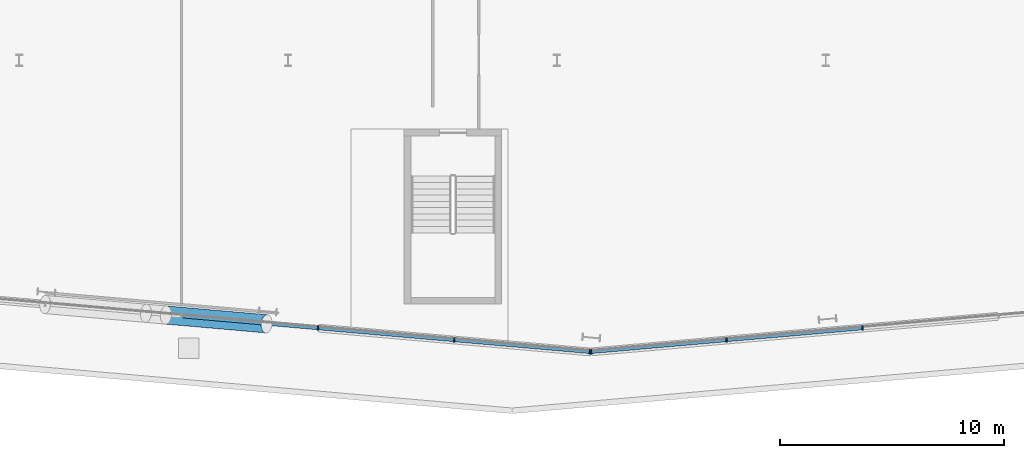
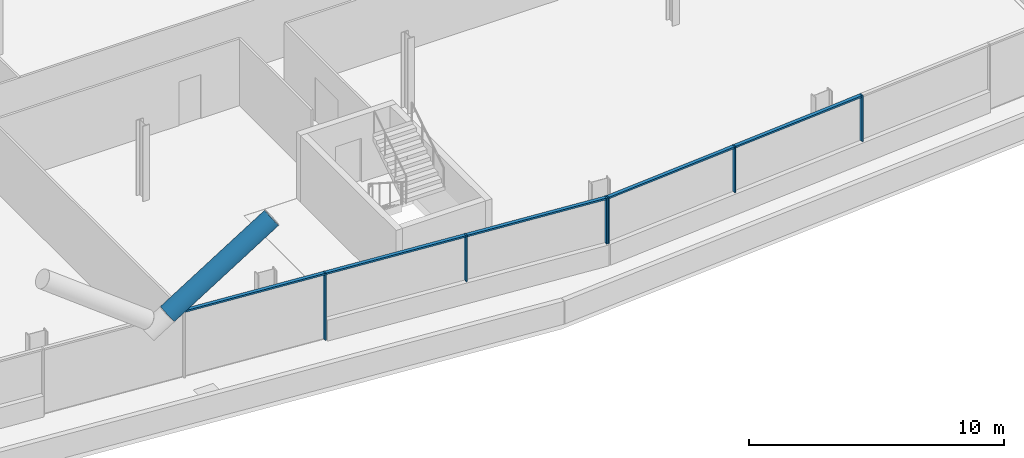
# One storey, part 5 of 26: 12 members, 2 elements without a shape of their own.
"""IFC4 building model written with IfcOpenShell, lengths in metres."""

from ifc_helpers import new_model, si_unit, direction, frame, origin, origin_2d, place, context, subcontext, project, spatial, rectangle, hollow_circle, extrude, material, material_profile, profile_set, type_object, element, aggregate, save


model = new_model("IFC4")

# Units and contexts
model_context = context("Model", 3, precision=1e-05, world=origin(), true_north=direction((0.0, 1.0)))
body_context = subcontext(model_context, "Body", "Model", "MODEL_VIEW")
ifc_project = project(units=[si_unit("LENGTHUNIT", "METRE"), si_unit("AREAUNIT", "SQUARE_METRE"), si_unit("VOLUMEUNIT", "CUBIC_METRE"), si_unit("PLANEANGLEUNIT", "RADIAN"), si_unit("MASSUNIT", "GRAM", prefix="KILO")], contexts=[model_context])

# Site, building, storey
site_placement = place(None, origin())
site = spatial("IfcSite", under=ifc_project, at=site_placement, CompositionType="ELEMENT")
building_placement = place(site_placement, origin())
building = spatial("IfcBuilding", under=site, at=building_placement, Name="Wharfspan Tower", CompositionType="ELEMENT")
storey_placement = place(building_placement, frame((0.0, 0.0, 96.699951)))
storey = spatial("IfcBuildingStorey", under=building, at=storey_placement, Name="L21", CompositionType="ELEMENT", Elevation=96.699951)

# Curtain wall, members
ifc_material_1 = material(Name="Aluminium 6063-T6", Category="aluminium")
curtain_wall_type = type_object("IfcCurtainWallType", Name="CURTAIN WALL FACETED FRONT", PredefinedType="NOTDEFINED", material=ifc_material_1)
curtain_wall_1_placement = place(storey_placement, origin())
curtain_wall_1 = element("IfcCurtainWall", 1, at=curtain_wall_1_placement, inside=storey, type_object=curtain_wall_type, Name="Curtain wall S1", PredefinedType="NOTDEFINED")
ifc_material_profile_1 = material_profile(ifc_material_1, rectangle(XDim=0.199951, YDim=0.060059, at=origin_2d()))
ifc_profile_set_1 = profile_set([ifc_material_profile_1], Name="Aluminium 6063-T6")
member_type_1 = type_object("IfcMemberType", Name="MULLION FACETED FRONT 60x200", PredefinedType="MULLION", material=ifc_profile_set_1)
member_1_placement = place(storey_placement, frame((37.333252, -0.453857, 0.0), z_axis=(0.0, 0.0, 1.0), x_axis=(0.087156, 0.996198, 0.0)))
member_1 = element("IfcMember", 2, at=member_1_placement, type_object=member_type_1, Name="Curtain wall S1 mullion 5", PredefinedType="MULLION", context=body_context, shape_type="SweptSolid", body=[
    extrude(rectangle(XDim=0.199951, YDim=0.060059, at=origin_2d()), origin(), (0.0, 0.0, 1.0), 3.199951),
])
member_2_placement = place(storey_placement, frame((43.416748, -0.986084, 1.0), z_axis=(0.0, 0.0, 1.0), x_axis=(0.087156, 0.996198, 0.0)))
member_2 = element("IfcMember", 3, at=member_2_placement, type_object=member_type_1, Name="Curtain wall S1 mullion 6", PredefinedType="MULLION", context=body_context, shape_type="SweptSolid", body=[
    extrude(rectangle(XDim=0.199951, YDim=0.060059, at=origin_2d()), origin(), (0.0, 0.0, 1.0), 2.199951),
])
member_3_placement = place(storey_placement, frame((49.470215, -1.515625, 1.0), z_axis=(0.0, 0.0, 1.0), x_axis=(0.087156, 0.996198, 0.0)))
member_3 = element("IfcMember", 4, at=member_3_placement, type_object=member_type_1, Name="Curtain wall S1 mullion 7", PredefinedType="MULLION", context=body_context, shape_type="SweptSolid", body=[
    extrude(rectangle(XDim=0.199951, YDim=0.060059, at=origin_2d()), origin(), (0.0, 0.0, 1.0), 2.199951),
])

curtain_wall_2_placement = place(storey_placement, origin())
curtain_wall_2 = element("IfcCurtainWall", 5, at=curtain_wall_2_placement, inside=storey, type_object=curtain_wall_type, Name="Curtain wall S2", PredefinedType="NOTDEFINED")
member_4_placement = place(storey_placement, frame((49.529785, -1.515625, 1.0), z_axis=(0.0, 0.0, 1.0), x_axis=(-0.087156, 0.996198, 0.0)))
member_4 = element("IfcMember", 6, at=member_4_placement, type_object=member_type_1, Name="Curtain wall S2 mullion 1", PredefinedType="MULLION", context=body_context, shape_type="SweptSolid", body=[
    extrude(rectangle(XDim=0.199951, YDim=0.060059, at=origin_2d()), origin(), (0.0, 0.0, 1.0), 2.199951),
])
member_5_placement = place(storey_placement, frame((55.571533, -0.987061, 1.0), z_axis=(0.0, 0.0, 1.0), x_axis=(-0.087156, 0.996198, 0.0)))
member_5 = element("IfcMember", 7, at=member_5_placement, type_object=member_type_1, Name="Curtain wall S2 mullion 2", PredefinedType="MULLION", context=body_context, shape_type="SweptSolid", body=[
    extrude(rectangle(XDim=0.199951, YDim=0.060059, at=origin_2d()), origin(), (0.0, 0.0, 1.0), 2.199951),
])
member_6_placement = place(storey_placement, frame((61.642822, -0.455811, 1.0), z_axis=(0.0, 0.0, 1.0), x_axis=(-0.087156, 0.996198, 0.0)))
member_6 = element("IfcMember", 8, at=member_6_placement, type_object=member_type_1, Name="Curtain wall S2 mullion 3", PredefinedType="MULLION", context=body_context, shape_type="SweptSolid", body=[
    extrude(rectangle(XDim=0.199951, YDim=0.060059, at=origin_2d()), origin(), (0.0, 0.0, 1.0), 2.199951),
])

# Member
ifc_material_2 = material(Name="Steel S460NH", Category="steel")
ifc_material_profile_2 = material_profile(ifc_material_2, hollow_circle(Radius=0.406494, WallThickness=0.040039, at=origin_2d()))
ifc_profile_set_2 = profile_set([ifc_material_profile_2], Name="Steel S460NH")
member_type_2 = type_object("IfcMemberType", Name="Mega brace CHS 813x40", PredefinedType="BRACE", material=ifc_profile_set_2)
member_7_placement = place(storey_placement, frame((30.551514, 0.124512, 3.227051), z_axis=(0.806035, -0.07053, 0.58765), x_axis=(0.087168, 0.996195, 2e-06)))
element("IfcMember", 9, at=member_7_placement, inside=storey, type_object=member_type_2, Name="Mega brace S1 L21 part 2", PredefinedType="BRACE", context=body_context, shape_type="SweptSolid", body=[
    extrude(hollow_circle(Radius=0.406494, WallThickness=0.040039, at=origin_2d()), origin(), (0.0, 0.0, 1.0), 5.56958),
])

ifc_material_profile_3 = material_profile(ifc_material_1, rectangle(XDim=0.159912, YDim=0.080078, at=origin_2d()))
ifc_profile_set_3 = profile_set([ifc_material_profile_3], Name="Aluminium 6063-T6")
member_type_3 = type_object("IfcMemberType", Name="TRANSOM FACETED FRONT 80x160", PredefinedType="USERDEFINED", material=ifc_profile_set_3)
member_8_placement = place(storey_placement, frame((31.279785, 0.075684, 3.160156), z_axis=(0.996197, -0.087131, 0.0), x_axis=(0.087131, 0.996197, 0.0)))
member_8 = element("IfcMember", 10, at=member_8_placement, type_object=member_type_3, Name="Curtain wall S1 transom 4", ObjectType="TRANSOM", PredefinedType="USERDEFINED", context=body_context, shape_type="SweptSolid", body=[
    extrude(rectangle(XDim=0.159912, YDim=0.080078, at=origin_2d()), origin(), (0.0, 0.0, 1.0), 6.046631),
])

member_9_placement = place(storey_placement, frame((37.363281, -0.456543, 3.160156), z_axis=(0.996197, -0.087135, 0.0), x_axis=(0.087135, 0.996197, 0.0)))
member_9 = element("IfcMember", 11, at=member_9_placement, type_object=member_type_3, Name="Curtain wall S1 transom 5", ObjectType="TRANSOM", PredefinedType="USERDEFINED", context=body_context, shape_type="SweptSolid", body=[
    extrude(rectangle(XDim=0.159912, YDim=0.080078, at=origin_2d()), origin(), (0.0, 0.0, 1.0), 6.046387),
])

member_10_placement = place(storey_placement, frame((43.446533, -0.98877, 3.160156), z_axis=(0.996198, -0.087122, 0.0), x_axis=(0.087122, 0.996198, 0.0)))
member_10 = element("IfcMember", 12, at=member_10_placement, type_object=member_type_3, Name="Curtain wall S1 transom 6", ObjectType="TRANSOM", PredefinedType="USERDEFINED", context=body_context, shape_type="SweptSolid", body=[
    extrude(rectangle(XDim=0.159912, YDim=0.080078, at=origin_2d()), origin(), (0.0, 0.0, 1.0), 6.016602),
])

aggregate(curtain_wall_1, [member_1, member_2, member_3, member_8, member_9, member_10])

member_11_placement = place(storey_placement, frame((49.559814, -1.512939, 3.160156), z_axis=(0.996197, 0.087133, 0.0), x_axis=(-0.087133, 0.996197, 0.0)))
member_11 = element("IfcMember", 13, at=member_11_placement, type_object=member_type_3, Name="Curtain wall S2 transom 1", ObjectType="TRANSOM", PredefinedType="USERDEFINED", context=body_context, shape_type="SweptSolid", body=[
    extrude(rectangle(XDim=0.159912, YDim=0.080078, at=origin_2d()), origin(), (0.0, 0.0, 1.0), 6.004639),
])

member_12_placement = place(storey_placement, frame((55.601318, -0.984375, 3.160156), z_axis=(0.996196, 0.087143, 0.0), x_axis=(-0.087143, 0.996196, 0.0)))
member_12 = element("IfcMember", 14, at=member_12_placement, type_object=member_type_3, Name="Curtain wall S2 transom 2", ObjectType="TRANSOM", PredefinedType="USERDEFINED", context=body_context, shape_type="SweptSolid", body=[
    extrude(rectangle(XDim=0.159912, YDim=0.080078, at=origin_2d()), origin(), (0.0, 0.0, 1.0), 6.034668),
])

aggregate(curtain_wall_2, [member_4, member_5, member_6, member_11, member_12])

save(model, "model.ifc")
